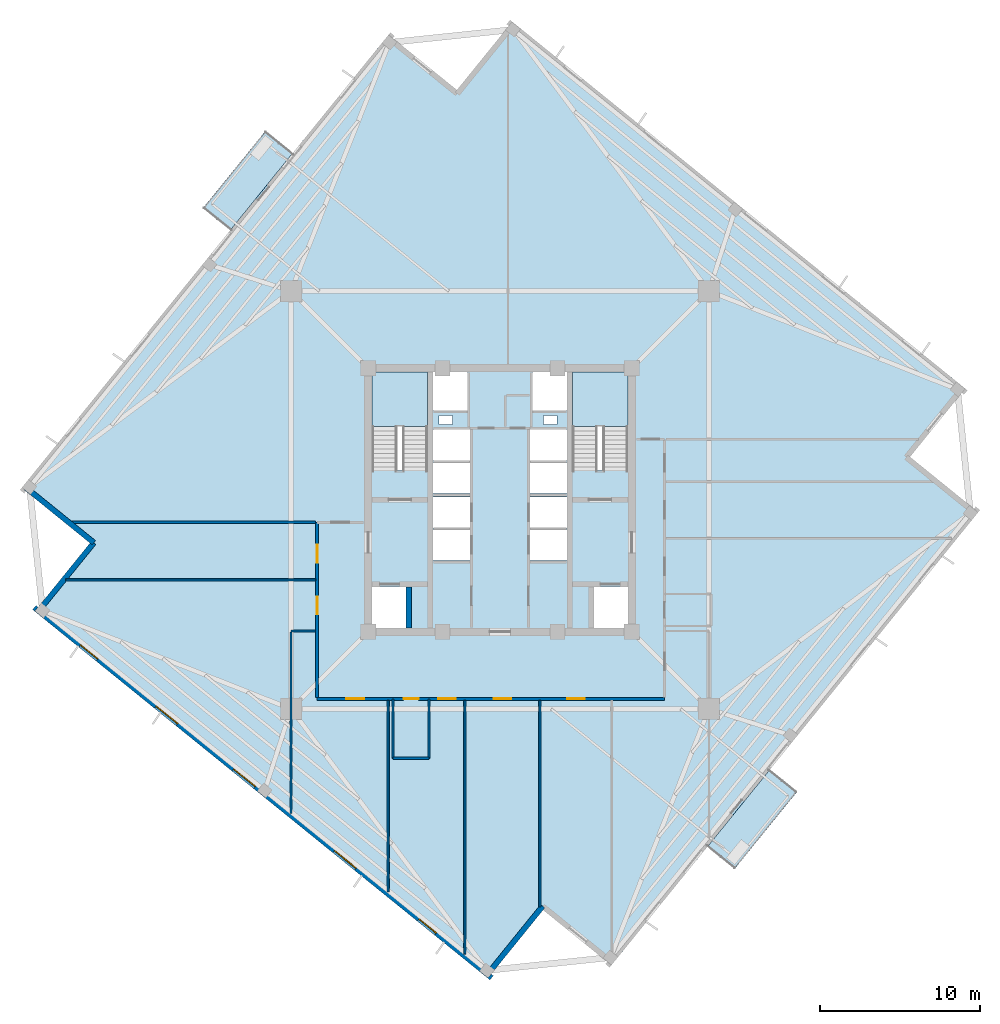
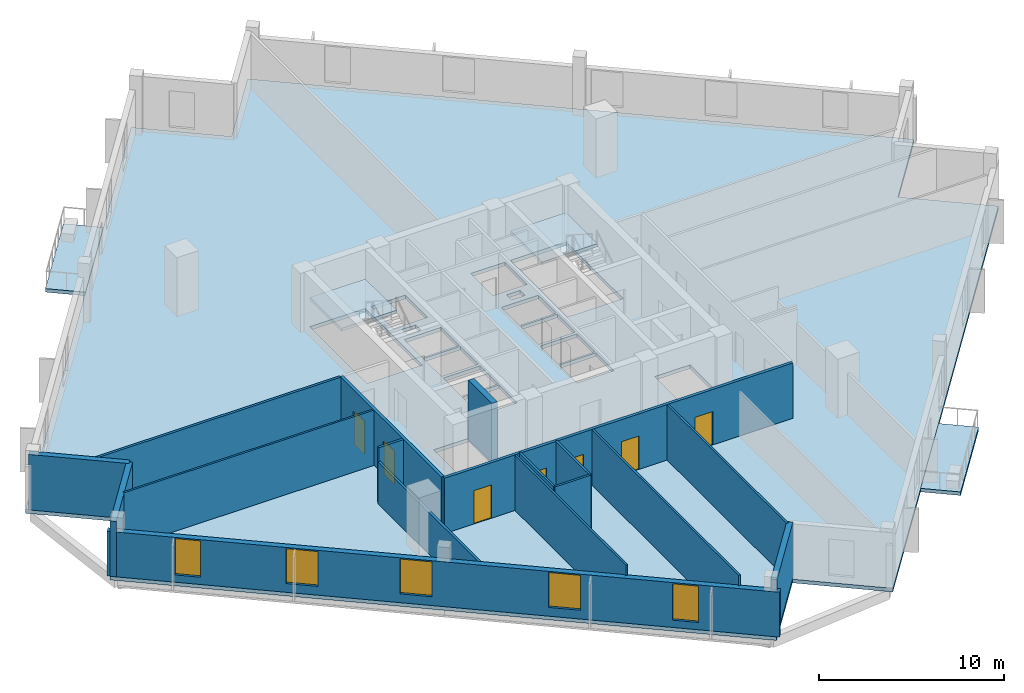
# One storey, part 2 of 9: 17 walls, 7 doors, 5 slabs, 5 windows, 12 openings, 2 elements without a shape of their own.
"""IFC4 building model written with IfcOpenShell, lengths in metres."""

from ifc_helpers import new_model, si_unit, direction, frame, frame_2d, origin, place, context, subcontext, project, spatial, polyline, rectangle, outline, extrude, source, transform, mapped, material, layer, layer_set, type_object, element, fill, aggregate, save


model = new_model("IFC4")

# Units and contexts
model_context = context("Model", 3, precision=1e-05, world=origin(), true_north=direction((0.0, 1.0)))
body_context = subcontext(model_context, "Body", "Model", "MODEL_VIEW")
ifc_project = project(units=[si_unit("LENGTHUNIT", "METRE"), si_unit("AREAUNIT", "SQUARE_METRE"), si_unit("VOLUMEUNIT", "CUBIC_METRE"), si_unit("PLANEANGLEUNIT", "RADIAN"), si_unit("MASSUNIT", "GRAM", prefix="KILO"), si_unit("THERMODYNAMICTEMPERATUREUNIT", "KELVIN")], contexts=[model_context])

# Site, building, storey
site_placement = place(None, origin())
site = spatial("IfcSite", under=ifc_project, at=site_placement, CompositionType="ELEMENT")
building_placement = place(site_placement, origin())
building = spatial("IfcBuilding", under=site, at=building_placement, Name="Kosmvard Interchange Tower", CompositionType="ELEMENT")
storey_placement = place(building_placement, frame((0.0, 0.0, 213.39990234375)))
storey = spatial("IfcBuildingStorey", under=building, at=storey_placement, Name="L51", CompositionType="ELEMENT", Elevation=213.39990234375)

# Slab
ifc_material_1 = material(Name="Concrete C50/60", Category="concrete")
ifc_layer_1 = layer(ifc_material_1, 0.239990234375, Name="Concrete C50/60")
ifc_layer_set_1 = layer_set([ifc_layer_1], Name="Concrete C50/60")
slab_type_1 = type_object("IfcSlabType", Name="High-Rise Suite Composite Slab 240 C50/60", PredefinedType="FLOOR", material=ifc_layer_set_1)
slab_1_placement = place(storey_placement, frame((0.0, 0.0, -0.239990234375)))
element("IfcSlab", 1, at=slab_1_placement, inside=storey, type_object=slab_type_1, Name="L51 Structural Floor Slab", PredefinedType="FLOOR", context=body_context, shape_type="SweptSolid", body=[
    extrude(outline(polyline([(6.97216796875, -29.12939453125), (29.9423828125, -0.763427734375), (25.66796875, 2.69775390625), (29.12939453125, 6.97216796875), (0.763427734375, 29.9423828125), (-2.69775390625, 25.66796875), (-6.97216796875, 29.12939453125), (-29.9423828125, 0.763427734375), (-25.66796875, -2.69775390625), (-29.12939453125, -6.97216796875), (-0.763427734375, -29.9423828125), (2.69775390625, -25.66796875), (6.97216796875, -29.12939453125)]), holes=[polyline([(-8.0, 1.8349609375), (-4.5400390625, 1.8349609375), (-4.5400390625, 8.0), (-8.0, 8.0), (-8.0, 1.8349609375)]), polyline([(4.5400390625, 1.8349609375), (8.0, 1.8349609375), (8.0, 8.0), (4.5400390625, 8.0), (4.5400390625, 1.8349609375)]), polyline([(-8.0, -8.0), (-5.800048828125, -8.0), (-5.800048828125, -5.39990234375), (-8.0, -5.39990234375), (-8.0, -8.0)]), polyline([(5.800048828125, -8.0), (8.0, -8.0), (8.0, -5.39990234375), (5.800048828125, -5.39990234375), (5.800048828125, -8.0)]), polyline([(-4.179931640625, -3.800048828125), (-1.8798828125, -3.800048828125), (-1.8798828125, -1.860107421875), (-4.179931640625, -1.860107421875), (-4.179931640625, -3.800048828125)]), polyline([(-4.179931640625, -1.739990234375), (-1.8798828125, -1.739990234375), (-1.8798828125, 0.199951171875), (-4.179931640625, 0.199951171875), (-4.179931640625, -1.739990234375)]), polyline([(1.8798828125, -3.800048828125), (4.179931640625, -3.800048828125), (4.179931640625, -1.860107421875), (1.8798828125, -1.860107421875), (1.8798828125, -3.800048828125)]), polyline([(1.8798828125, -1.739990234375), (4.179931640625, -1.739990234375), (4.179931640625, 0.199951171875), (1.8798828125, 0.199951171875), (1.8798828125, -1.739990234375)]), polyline([(-4.179931640625, 0.39990234375), (-1.8798828125, 0.39990234375), (-1.8798828125, 2.340087890625), (-4.179931640625, 2.340087890625), (-4.179931640625, 0.39990234375)]), polyline([(-4.179931640625, 2.4599609375), (-1.8798828125, 2.4599609375), (-1.8798828125, 4.39990234375), (-4.179931640625, 4.39990234375), (-4.179931640625, 2.4599609375)]), polyline([(1.8798828125, 0.39990234375), (4.179931640625, 0.39990234375), (4.179931640625, 2.340087890625), (1.8798828125, 2.340087890625), (1.8798828125, 0.39990234375)]), polyline([(1.8798828125, 2.4599609375), (4.179931640625, 2.4599609375), (4.179931640625, 4.39990234375), (1.8798828125, 4.39990234375), (1.8798828125, 2.4599609375)]), polyline([(-4.179931640625, 5.60009765625), (-2.0400390625, 5.60009765625), (-2.0400390625, 8.0), (-4.179931640625, 8.0), (-4.179931640625, 5.60009765625)]), polyline([(2.0400390625, 5.60009765625), (4.179931640625, 5.60009765625), (4.179931640625, 8.0), (2.0400390625, 8.0), (2.0400390625, 5.60009765625)]), polyline([(-3.81494140625, 4.739990234375), (-2.965087890625, 4.739990234375), (-2.965087890625, 5.2900390625), (-3.81494140625, 5.2900390625), (-3.81494140625, 4.739990234375)]), polyline([(2.715087890625, 4.739990234375), (3.56494140625, 4.739990234375), (3.56494140625, 5.2900390625), (2.715087890625, 5.2900390625), (2.715087890625, 4.739990234375)])]), origin(), (0.0, 0.0, 1.0), 0.239990234375),
])

# Stair, slab
stair_type = type_object("IfcStairType", Name="Dog-Leg Core Exit Stair H3900 C50/60", PredefinedType="HALF_TURN_STAIR", material=ifc_material_1)
stair_1_placement = place(storey_placement, origin())
stair_1 = element("IfcStair", 2, at=stair_1_placement, inside=storey, type_object=stair_type, Name="L51 Protected Exit Stair ST-1", PredefinedType="HALF_TURN_STAIR")
ifc_layer_2 = layer(ifc_material_1, 0.199951171875, Name="Concrete C50/60")
ifc_layer_set_2 = layer_set([ifc_layer_2], Name="Concrete C50/60")
slab_type_2 = type_object("IfcSlabType", Name="Stair Half-Landing Slab 200 C50/60", PredefinedType="LANDING", material=ifc_layer_set_2)
slab_2_placement = place(storey_placement, frame((0.0, 0.0, 1.75)))
slab_2 = element("IfcSlab", 3, at=slab_2_placement, type_object=slab_type_2, Name="ST-1 landing 1", PredefinedType="LANDING", context=body_context, shape_type="SweptSolid", body=[
    extrude(outline(polyline([(-4.5400390625, 4.60009765625), (-4.5400390625, 8.0), (-8.0, 8.0), (-8.0, 4.60009765625), (-4.5400390625, 4.60009765625)])), origin(), (0.0, 0.0, 1.0), 0.2001953125),
])
aggregate(stair_1, [slab_2])

stair_2_placement = place(storey_placement, origin())
stair_2 = element("IfcStair", 4, at=stair_2_placement, inside=storey, type_object=stair_type, Name="L51 Protected Exit Stair ST-2", PredefinedType="HALF_TURN_STAIR")
slab_3_placement = place(storey_placement, frame((0.0, 0.0, 1.75)))
slab_3 = element("IfcSlab", 5, at=slab_3_placement, type_object=slab_type_2, Name="ST-2 landing 1", PredefinedType="LANDING", context=body_context, shape_type="SweptSolid", body=[
    extrude(outline(polyline([(8.0, 4.60009765625), (8.0, 8.0), (4.5400390625, 8.0), (4.5400390625, 4.60009765625), (8.0, 4.60009765625)])), origin(), (0.0, 0.0, 1.0), 0.2001953125),
])
aggregate(stair_2, [slab_3])

# Slabs
ifc_layer_3 = layer(ifc_material_1, 0.22998046875, Name="Concrete C50/60")
ifc_layer_set_3 = layer_set([ifc_layer_3], Name="Concrete C50/60")
slab_type_3 = type_object("IfcSlabType", Name="Tree-Planter Cantilever Balcony Slab 230 C50/60", PredefinedType="FLOOR", material=ifc_layer_set_3)
slab_4_placement = place(storey_placement, frame((0.0, 0.0, -0.22998046875)))
element("IfcSlab", 6, at=slab_4_placement, inside=storey, type_object=slab_type_3, Name="L51 Outdoor Terrace Balcony Slab BAL-L51-N", PredefinedType="FLOOR", context=body_context, shape_type="SweptSolid", body=[
    extrude(outline(polyline([(-16.884033203125, 16.88916015625), (-12.982177734375, 21.70751953125), (-14.69189453125, 23.092041015625), (-18.59375, 18.273681640625), (-16.884033203125, 16.88916015625)])), origin(), (0.0, 0.0, 1.0), 0.22998046875),
])
slab_5_placement = place(storey_placement, frame((0.0, 0.0, -0.22998046875)))
element("IfcSlab", 7, at=slab_5_placement, inside=storey, type_object=slab_type_3, Name="L51 Outdoor Terrace Balcony Slab BAL-L51-S", PredefinedType="FLOOR", context=body_context, shape_type="SweptSolid", body=[
    extrude(outline(polyline([(14.69189453125, -23.092041015625), (18.59375, -18.273681640625), (16.884033203125, -16.88916015625), (12.982177734375, -21.70751953125), (14.69189453125, -23.092041015625)])), origin(), (0.0, 0.0, 1.0), 0.22998046875),
])

# Walls
ifc_material_2 = material(Name="Acoustic gypsum partition system")
ifc_layer_4 = layer(ifc_material_2, 0.14990234375, Name="Acoustic gypsum partition system")
ifc_layer_set_4 = layer_set([ifc_layer_4], Name="Acoustic gypsum partition system")
wall_type_1 = type_object("IfcWallType", Name="Acoustic Suite & Meeting Partition 150", PredefinedType="PARTITIONING", material=ifc_layer_set_4)
wall_1_placement = place(storey_placement, frame((-26.833740234375, -1.39990234375, 0.0), z_axis=(0.0, 0.0, 1.0), x_axis=(1.0, 0.0, 0.0)))
element("IfcWall", 8, at=wall_1_placement, inside=storey, type_object=wall_type_1, Name="L51 Room Partition 02.1", PredefinedType="PARTITIONING", context=body_context, shape_type="SweptSolid", body=[
    extrude(rectangle(XDim=15.288818359375, YDim=0.14990234375, at=frame_2d((7.64453125, 0.0))), origin(), (0.0, 0.0, 1.0), 3.66015625),
])
wall_2_placement = place(storey_placement, frame((-11.544921875, -8.199951171875, 0.0), z_axis=(0.0, 0.0, 1.0), x_axis=(-1.0, 0.0, 0.0)))
element("IfcWall", 9, at=wall_2_placement, inside=storey, type_object=wall_type_1, Name="L51 Room Partition 05.1", PredefinedType="PARTITIONING", context=body_context, shape_type="SweptSolid", body=[
    extrude(rectangle(XDim=1.5361328125, YDim=0.14990234375, at=frame_2d((0.76806640625, 0.0))), origin(), (0.0, 0.0, 1.0), 3.66015625),
])
wall_3_placement = place(storey_placement, frame((-13.0810546875, -8.27490234375, 0.0), z_axis=(0.0, 0.0, 1.0), x_axis=(0.0, -1.0, 0.0)))
element("IfcWall", 10, at=wall_3_placement, inside=storey, type_object=wall_type_1, Name="L51 Room Partition 06.1", PredefinedType="PARTITIONING", context=body_context, shape_type="SweptSolid", body=[
    extrude(rectangle(XDim=11.339111328125, YDim=0.14990234375, at=frame_2d((5.66943359375, 0.0))), origin(), (0.0, 0.0, 1.0), 2.760009765625),
])

# Wall, openings, doors
ifc_material_3 = material(Name="Fire-rated gypsum partition system")
ifc_layer_5 = layer(ifc_material_3, 0.179931640625, Name="Fire-rated gypsum partition system")
ifc_layer_set_5 = layer_set([ifc_layer_5], Name="Fire-rated gypsum partition system")
wall_type_2 = type_object("IfcWallType", Name="Corridor & Hotel Compartment Partition 180", PredefinedType="PARTITIONING", material=ifc_layer_set_5)
wall_4_placement = place(storey_placement, frame((-11.449951171875, -12.449951171875, 0.0), z_axis=(0.0, 0.0, 1.0), x_axis=(1.0, 0.0, 0.0)))
wall_4 = element("IfcWall", 11, at=wall_4_placement, inside=storey, type_object=wall_type_2, Name="L51 Corridor Wall CS", PredefinedType="PARTITIONING", context=body_context, shape_type="SweptSolid", body=[
    extrude(rectangle(XDim=21.75, YDim=0.179931640625, at=frame_2d((10.875, 0.0))), origin(), (0.0, 0.0, 1.0), 3.66015625),
])
opening_1_placement = place(wall_4_placement, frame((5.4111328125, 0.0, 0.0)))
opening_1 = element("IfcOpeningElement", 12, at=opening_1_placement, cuts=wall_4, Name="Opening L51-D02", PredefinedType="OPENING", context=body_context, shape_type="SweptSolid", body=[
    extrude(rectangle(XDim=0.949951171875, YDim=2.10009765625, at=frame_2d((0.47509765625, 1.050048828125))), frame((0.0, 0.10009765625, 0.0), z_axis=(0.0, -1.0, 0.0), x_axis=(1.0, 0.0, 0.0)), (0.0, 0.0, 1.0), 0.199951171875),
])
opening_2_placement = place(wall_4_placement, frame((1.83935546875, 0.0, 0.0)))
opening_2 = element("IfcOpeningElement", 13, at=opening_2_placement, cuts=wall_4, Name="Opening L51-D08", PredefinedType="OPENING", context=body_context, shape_type="SweptSolid", body=[
    extrude(rectangle(XDim=1.10009765625, YDim=2.199951171875, at=frame_2d((0.550048828125, 1.10009765625))), frame((0.0, 0.10009765625, 0.0), z_axis=(0.0, -1.0, 0.0), x_axis=(1.0, 0.0, 0.0)), (0.0, 0.0, 1.0), 0.199951171875),
])
opening_3_placement = place(wall_4_placement, frame((7.574462890625, 0.0, 0.0)))
opening_3 = element("IfcOpeningElement", 14, at=opening_3_placement, cuts=wall_4, Name="Opening L51-D09", PredefinedType="OPENING", context=body_context, shape_type="SweptSolid", body=[
    extrude(rectangle(XDim=1.10009765625, YDim=2.199951171875, at=frame_2d((0.550048828125, 1.10009765625))), frame((0.0, 0.10009765625, 0.0), z_axis=(0.0, -1.0, 0.0), x_axis=(1.0, 0.0, 0.0)), (0.0, 0.0, 1.0), 0.199951171875),
])
opening_4_placement = place(wall_4_placement, frame((11.050048828125, 0.0, 0.0)))
opening_4 = element("IfcOpeningElement", 15, at=opening_4_placement, cuts=wall_4, Name="Opening L51-D10", PredefinedType="OPENING", context=body_context, shape_type="SweptSolid", body=[
    extrude(rectangle(XDim=1.10009765625, YDim=2.199951171875, at=frame_2d((0.550048828125, 1.10009765625))), frame((0.0, 0.10009765625, 0.0), z_axis=(0.0, -1.0, 0.0), x_axis=(1.0, 0.0, 0.0)), (0.0, 0.0, 1.0), 0.199951171875),
])
opening_5_placement = place(wall_4_placement, frame((15.64990234375, 0.0, 0.0)))
opening_5 = element("IfcOpeningElement", 16, at=opening_5_placement, cuts=wall_4, Name="Opening L51-D11", PredefinedType="OPENING", context=body_context, shape_type="SweptSolid", body=[
    extrude(rectangle(XDim=1.10009765625, YDim=2.199951171875, at=frame_2d((0.550048828125, 1.10009765625))), frame((0.0, 0.10009765625, 0.0), z_axis=(0.0, -1.0, 0.0), x_axis=(1.0, 0.0, 0.0)), (0.0, 0.0, 1.0), 0.199951171875),
])
ifc_material_4 = material(Name="Laminated moisture-resistant timber", Category="wood")
door_type_1 = type_object("IfcDoorType", Name="Accessible Washroom Door 950x2100", OperationType="NOTDEFINED", PredefinedType="DOOR", material=ifc_material_4)
shared_shape_1 = source(origin(), body_context, "Body", "SweptSolid", [
    extrude(rectangle(XDim=0.949951171875, YDim=2.10009765625, at=frame_2d((0.47509765625, 1.050048828125))), frame((0.0, 0.02490234375, 0.0), z_axis=(0.0, -1.0, 0.0), x_axis=(1.0, 0.0, 0.0)), (0.0, 0.0, 1.0), 0.050048828125),
])
door_1_placement = place(opening_1_placement, frame((0.949951171875, 0.0, 0.0), z_axis=(0.0, 0.0, 1.0), x_axis=(-1.0, 0.0, 0.0)))
door_1 = element("IfcDoor", 17, at=door_1_placement, inside=storey, type_object=door_type_1, Name="L51 Public Floor Washroom Door", OperationType="SINGLE_SWING_RIGHT", OverallHeight=2.10009765625, OverallWidth=0.949951171875, PredefinedType="DOOR", context=body_context, shape_type="MappedRepresentation", body=[
    mapped(shared_shape_1, transform((0.0, 0.0, 0.0), scale=1.0)),
])
fill(opening_1, door_1)
ifc_material_5 = material(Name="Engineered oak fire-rated timber", Category="wood")
door_type_2 = type_object("IfcDoorType", Name="Office Suite Entrance Door 1100x2200 FD30S", OperationType="NOTDEFINED", PredefinedType="DOOR", material=ifc_material_5)
shared_shape_2 = source(origin(), body_context, "Body", "SweptSolid", [
    extrude(rectangle(XDim=1.10009765625, YDim=2.199951171875, at=frame_2d((0.550048828125, 1.10009765625))), frame((0.0, 0.02490234375, 0.0), z_axis=(0.0, -1.0, 0.0), x_axis=(1.0, 0.0, 0.0)), (0.0, 0.0, 1.0), 0.050048828125),
])
door_2_placement = place(opening_2_placement, frame((1.10009765625, 0.0, 0.0), z_axis=(0.0, 0.0, 1.0), x_axis=(-1.0, 0.0, 0.0)))
door_2 = element("IfcDoor", 18, at=door_2_placement, inside=storey, type_object=door_type_2, Name="L51 Treaty Conference Room 3 Door", OperationType="SINGLE_SWING_RIGHT", OverallHeight=2.199951171875, OverallWidth=1.10009765625, PredefinedType="DOOR", context=body_context, shape_type="MappedRepresentation", body=[
    mapped(shared_shape_2, transform((0.0, 0.0, 0.0), scale=1.0)),
])
fill(opening_2, door_2)
door_3_placement = place(opening_3_placement, frame((1.10009765625, 0.0, 0.0), z_axis=(0.0, 0.0, 1.0), x_axis=(-1.0, 0.0, 0.0)))
door_3 = element("IfcDoor", 19, at=door_3_placement, inside=storey, type_object=door_type_2, Name="L51 Diplomatic Seminar Room 4 Door", OperationType="SINGLE_SWING_LEFT", OverallHeight=2.199951171875, OverallWidth=1.10009765625, PredefinedType="DOOR", context=body_context, shape_type="MappedRepresentation", body=[
    mapped(shared_shape_2, transform((0.0, 0.0, 0.0), scale=1.0)),
])
fill(opening_3, door_3)
door_4_placement = place(opening_4_placement, frame((1.10009765625, 0.0, 0.0), z_axis=(0.0, 0.0, 1.0), x_axis=(-1.0, 0.0, 0.0)))
door_4 = element("IfcDoor", 20, at=door_4_placement, inside=storey, type_object=door_type_2, Name="L51 Ambassador Reading Study 1 Door", OperationType="SINGLE_SWING_RIGHT", OverallHeight=2.199951171875, OverallWidth=1.10009765625, PredefinedType="DOOR", context=body_context, shape_type="MappedRepresentation", body=[
    mapped(shared_shape_2, transform((0.0, 0.0, 0.0), scale=1.0)),
])
fill(opening_4, door_4)
door_5_placement = place(opening_5_placement, frame((1.10009765625, 0.0, 0.0), z_axis=(0.0, 0.0, 1.0), x_axis=(-1.0, 0.0, 0.0)))
door_5 = element("IfcDoor", 21, at=door_5_placement, inside=storey, type_object=door_type_2, Name="L51 Counsel Quiet Study 2 Door", OperationType="SINGLE_SWING_LEFT", OverallHeight=2.199951171875, OverallWidth=1.10009765625, PredefinedType="DOOR", context=body_context, shape_type="MappedRepresentation", body=[
    mapped(shared_shape_2, transform((0.0, 0.0, 0.0), scale=1.0)),
])
fill(opening_5, door_5)

wall_5_placement = place(storey_placement, frame((-11.449951171875, -12.35009765625, 0.0), z_axis=(0.0, 0.0, 1.0), x_axis=(0.0, 1.0, 0.0)))
wall_5 = element("IfcWall", 22, at=wall_5_placement, inside=storey, type_object=wall_type_2, Name="L51 Corridor Wall CW", PredefinedType="PARTITIONING", context=body_context, shape_type="SweptSolid", body=[
    extrude(rectangle(XDim=10.9501953125, YDim=0.179931640625, at=frame_2d((5.47509765625, 0.0))), origin(), (0.0, 0.0, 1.0), 3.66015625),
])
opening_6_placement = place(wall_5_placement, frame((8.435546875, 0.0, 0.0)))
opening_6 = element("IfcOpeningElement", 23, at=opening_6_placement, cuts=wall_5, Name="Opening L51-D06", PredefinedType="OPENING", context=body_context, shape_type="SweptSolid", body=[
    extrude(rectangle(XDim=1.10009765625, YDim=2.199951171875, at=frame_2d((0.550048828125, 1.10009765625))), frame((0.0, 0.10009765625, 0.0), z_axis=(0.0, -1.0, 0.0), x_axis=(1.0, 0.0, 0.0)), (0.0, 0.0, 1.0), 0.199951171875),
])
opening_7_placement = place(wall_5_placement, frame((5.199951171875, 0.0, 0.0)))
opening_7 = element("IfcOpeningElement", 24, at=opening_7_placement, cuts=wall_5, Name="Opening L51-D07", PredefinedType="OPENING", context=body_context, shape_type="SweptSolid", body=[
    extrude(rectangle(XDim=1.10009765625, YDim=2.199951171875, at=frame_2d((0.550048828125, 1.10009765625))), frame((0.0, 0.10009765625, 0.0), z_axis=(0.0, -1.0, 0.0), x_axis=(1.0, 0.0, 0.0)), (0.0, 0.0, 1.0), 0.199951171875),
])
door_6_placement = place(opening_6_placement, origin())
door_6 = element("IfcDoor", 25, at=door_6_placement, inside=storey, type_object=door_type_2, Name="L51 Executive Servery Pantry Door", OperationType="SINGLE_SWING_RIGHT", OverallHeight=2.199951171875, OverallWidth=1.10009765625, PredefinedType="DOOR", context=body_context, shape_type="MappedRepresentation", body=[
    mapped(shared_shape_2, transform((0.0, 0.0, 0.0), scale=1.0)),
])
fill(opening_6, door_6)
door_7_placement = place(opening_7_placement, origin())
door_7 = element("IfcDoor", 26, at=door_7_placement, inside=storey, type_object=door_type_2, Name="L51 Chancery Boardroom 2 Door", OperationType="SINGLE_SWING_LEFT", OverallHeight=2.199951171875, OverallWidth=1.10009765625, PredefinedType="DOOR", context=body_context, shape_type="MappedRepresentation", body=[
    mapped(shared_shape_2, transform((0.0, 0.0, 0.0), scale=1.0)),
])
fill(opening_7, door_7)

# Walls
ifc_material_6 = material(Name="Precast concrete C45/55", Category="concrete")
ifc_layer_6 = layer(ifc_material_6, 0.340087890625, Name="Precast concrete C45/55")
ifc_layer_set_6 = layer_set([ifc_layer_6], Name="Precast concrete C45/55")
wall_type_3 = type_object("IfcWallType", Name="Mid Tower Precast Pier Wall 340 C45/55", PredefinedType="STANDARD", material=ifc_layer_set_6)
wall_6_placement = place(storey_placement, frame((-29.703125, 0.78857421875, 0.0), z_axis=(0.0, 0.0, 1.0), x_axis=(0.77714355312, -0.629323365087, 0.0)))
element("IfcWall", 27, at=wall_6_placement, inside=storey, type_object=wall_type_3, Name="L51 Precast Facade Wall N-NW1", PredefinedType="STANDARD", context=body_context, shape_type="SweptSolid", body=[
    extrude(rectangle(XDim=5.499755859375, YDim=0.340087890625, at=frame_2d((2.75, 0.0))), origin(), (0.0, 0.0, 1.0), 3.66015625),
])
wall_7_placement = place(storey_placement, frame((-25.428955078125, -2.672607421875, 0.0), z_axis=(0.0, 0.0, 1.0), x_axis=(-0.629299794138, -0.777162640055, 0.0)))
element("IfcWall", 28, at=wall_7_placement, inside=storey, type_object=wall_type_3, Name="L51 Precast Facade Wall N-NW2", PredefinedType="STANDARD", context=body_context, shape_type="SweptSolid", body=[
    extrude(rectangle(XDim=5.669921875, YDim=0.340087890625, at=frame_2d((2.8349609375, 0.0))), origin(), (0.0, 0.0, 1.0), 3.66015625),
])

# Wall, openings, windows
wall_8_placement = place(storey_placement, frame((-29.154296875, -6.73291015625, 0.0), z_axis=(0.0, 0.0, 1.0), x_axis=(0.77714192302, -0.629325378072, 0.0)))
wall_8 = element("IfcWall", 29, at=wall_8_placement, inside=storey, type_object=wall_type_3, Name="L51 Precast Facade Wall F-W", PredefinedType="STANDARD", context=body_context, shape_type="SweptSolid", body=[
    extrude(rectangle(XDim=36.840087890625, YDim=0.340087890625, at=frame_2d((18.419921875, 0.0))), origin(), (0.0, 0.0, 1.0), 2.960205078125),
])
opening_8_placement = place(wall_8_placement, frame((3.720703125, 0.0, 0.47998046875)))
opening_8 = element("IfcOpeningElement", 30, at=opening_8_placement, cuts=wall_8, Name="Opening L51-W16", PredefinedType="OPENING", context=body_context, shape_type="SweptSolid", body=[
    extrude(rectangle(XDim=1.39990234375, YDim=2.39990234375, at=frame_2d((0.699951171875, 1.199951171875))), frame((0.0, 0.18017578125, 0.0), z_axis=(0.0, -1.0, 0.0), x_axis=(1.0, 0.0, 0.0)), (0.0, 0.0, 1.0), 0.360107421875),
])
opening_9_placement = place(wall_8_placement, frame((9.80859375, 0.0, 0.580078125)))
opening_9 = element("IfcOpeningElement", 31, at=opening_9_placement, cuts=wall_8, Name="Opening L51-W17", PredefinedType="OPENING", context=body_context, shape_type="SweptSolid", body=[
    extrude(rectangle(XDim=1.75, YDim=2.300048828125, at=frame_2d((0.875, 1.14990234375))), frame((0.0, 0.18017578125, 0.0), z_axis=(0.0, -1.0, 0.0), x_axis=(1.0, 0.0, 0.0)), (0.0, 0.0, 1.0), 0.360107421875),
])
opening_10_placement = place(wall_8_placement, frame((16.05810546875, 0.0, 0.580078125)))
opening_10 = element("IfcOpeningElement", 32, at=opening_10_placement, cuts=wall_8, Name="Opening L51-W18", PredefinedType="OPENING", context=body_context, shape_type="SweptSolid", body=[
    extrude(rectangle(XDim=1.75, YDim=2.300048828125, at=frame_2d((0.875, 1.14990234375))), frame((0.0, 0.18017578125, 0.0), z_axis=(0.0, -1.0, 0.0), x_axis=(1.0, 0.0, 0.0)), (0.0, 0.0, 1.0), 0.360107421875),
])
opening_11_placement = place(wall_8_placement, frame((24.17626953125, 0.0, 0.580078125)))
opening_11 = element("IfcOpeningElement", 33, at=opening_11_placement, cuts=wall_8, Name="Opening L51-W19", PredefinedType="OPENING", context=body_context, shape_type="SweptSolid", body=[
    extrude(rectangle(XDim=1.75, YDim=2.300048828125, at=frame_2d((0.875, 1.14990234375))), frame((0.0, 0.18017578125, 0.0), z_axis=(0.0, -1.0, 0.0), x_axis=(1.0, 0.0, 0.0)), (0.0, 0.0, 1.0), 0.360107421875),
])
opening_12_placement = place(wall_8_placement, frame((30.982421875, 0.0, 0.47998046875)))
opening_12 = element("IfcOpeningElement", 34, at=opening_12_placement, cuts=wall_8, Name="Opening L51-W20", PredefinedType="OPENING", context=body_context, shape_type="SweptSolid", body=[
    extrude(rectangle(XDim=1.39990234375, YDim=2.39990234375, at=frame_2d((0.699951171875, 1.199951171875))), frame((0.0, 0.18017578125, 0.0), z_axis=(0.0, -1.0, 0.0), x_axis=(1.0, 0.0, 0.0)), (0.0, 0.0, 1.0), 0.360107421875),
])
ifc_material_7 = material(Name="Low-E solar-control double glazing", Category="glass")
window_type_1 = type_object("IfcWindowType", Name="Notched Corner Feature Window 1400x2400", PartitioningType="SINGLE_PANEL", PredefinedType="WINDOW", material=ifc_material_7)
shared_shape_3 = source(origin(), body_context, "Body", "SweptSolid", [
    extrude(rectangle(XDim=1.39990234375, YDim=2.39990234375, at=frame_2d((0.699951171875, 1.199951171875))), frame((0.0, 0.030029296875, 0.0), z_axis=(0.0, -1.0, 0.0), x_axis=(1.0, 0.0, 0.0)), (0.0, 0.0, 1.0), 0.06005859375),
])
window_1_placement = place(opening_8_placement, origin())
window_1 = element("IfcWindow", 35, at=window_1_placement, inside=storey, type_object=window_type_1, Name="L51 Facade Punched Window 16", OverallHeight=2.39990234375, OverallWidth=1.39990234375, PartitioningType="SINGLE_PANEL", PredefinedType="WINDOW", context=body_context, shape_type="MappedRepresentation", body=[
    mapped(shared_shape_3, transform((0.0, 0.0, 0.0), scale=1.0)),
])
fill(opening_8, window_1)
window_2_placement = place(opening_12_placement, origin())
window_2 = element("IfcWindow", 36, at=window_2_placement, inside=storey, type_object=window_type_1, Name="L51 Facade Punched Window 20", OverallHeight=2.39990234375, OverallWidth=1.39990234375, PartitioningType="SINGLE_PANEL", PredefinedType="WINDOW", context=body_context, shape_type="MappedRepresentation", body=[
    mapped(shared_shape_3, transform((0.0, 0.0, 0.0), scale=1.0)),
])
fill(opening_12, window_2)
window_type_2 = type_object("IfcWindowType", Name="Zone 4 Suite Punched Window 1750x2300", PartitioningType="SINGLE_PANEL", PredefinedType="WINDOW", material=ifc_material_7)
shared_shape_4 = source(origin(), body_context, "Body", "SweptSolid", [
    extrude(rectangle(XDim=1.75, YDim=2.300048828125, at=frame_2d((0.875, 1.14990234375))), frame((0.0, 0.030029296875, 0.0), z_axis=(0.0, -1.0, 0.0), x_axis=(1.0, 0.0, 0.0)), (0.0, 0.0, 1.0), 0.06005859375),
])
window_3_placement = place(opening_9_placement, origin())
window_3 = element("IfcWindow", 37, at=window_3_placement, inside=storey, type_object=window_type_2, Name="L51 Facade Punched Window 17", OverallHeight=2.300048828125, OverallWidth=1.75, PartitioningType="SINGLE_PANEL", PredefinedType="WINDOW", context=body_context, shape_type="MappedRepresentation", body=[
    mapped(shared_shape_4, transform((0.0, 0.0, 0.0), scale=1.0)),
])
fill(opening_9, window_3)
window_4_placement = place(opening_10_placement, origin())
window_4 = element("IfcWindow", 38, at=window_4_placement, inside=storey, type_object=window_type_2, Name="L51 Facade Punched Window 18", OverallHeight=2.300048828125, OverallWidth=1.75, PartitioningType="SINGLE_PANEL", PredefinedType="WINDOW", context=body_context, shape_type="MappedRepresentation", body=[
    mapped(shared_shape_4, transform((0.0, 0.0, 0.0), scale=1.0)),
])
fill(opening_10, window_4)
window_5_placement = place(opening_11_placement, origin())
window_5 = element("IfcWindow", 39, at=window_5_placement, inside=storey, type_object=window_type_2, Name="L51 Facade Punched Window 19", OverallHeight=2.300048828125, OverallWidth=1.75, PartitioningType="SINGLE_PANEL", PredefinedType="WINDOW", context=body_context, shape_type="MappedRepresentation", body=[
    mapped(shared_shape_4, transform((0.0, 0.0, 0.0), scale=1.0)),
])
fill(opening_11, window_5)

# Walls
wall_9_placement = place(storey_placement, frame((-0.78857421875, -29.703125, 0.0), z_axis=(0.0, 0.0, 1.0), x_axis=(0.629323365087, 0.77714355312, 0.0)))
element("IfcWall", 40, at=wall_9_placement, inside=storey, type_object=wall_type_3, Name="L51 Precast Facade Wall N-SW1", PredefinedType="STANDARD", context=body_context, shape_type="SweptSolid", body=[
    extrude(rectangle(XDim=5.499755859375, YDim=0.340087890625, at=frame_2d((2.75, 0.0))), origin(), (0.0, 0.0, 1.0), 3.66015625),
])
ifc_material_8 = material(Name="Gypsum board partition system")
ifc_layer_7 = layer(ifc_material_8, 0.1201171875, Name="Gypsum board partition system")
ifc_layer_set_7 = layer_set([ifc_layer_7], Name="Gypsum board partition system")
wall_type_4 = type_object("IfcWallType", Name="Office Cellular Partition 120", PredefinedType="PARTITIONING", material=ifc_layer_set_7)
wall_10_placement = place(storey_placement, frame((-27.178466796875, -5.0, 0.0), z_axis=(0.0, 0.0, 1.0), x_axis=(1.0, 0.0, 0.0)))
element("IfcWall", 41, at=wall_10_placement, inside=storey, type_object=wall_type_4, Name="L51 Room Partition 07.1", PredefinedType="PARTITIONING", context=body_context, shape_type="SweptSolid", body=[
    extrude(rectangle(XDim=15.633544921875, YDim=0.1201171875, at=frame_2d((7.81689453125, 0.0))), origin(), (0.0, 0.0, 1.0), 3.66015625),
])
wall_11_placement = place(storey_placement, frame((-7.0, -24.5380859375, 0.0), z_axis=(0.0, 0.0, 1.0), x_axis=(0.0, 1.0, 0.0)))
element("IfcWall", 42, at=wall_11_placement, inside=storey, type_object=wall_type_4, Name="L51 Room Partition 08.1", PredefinedType="PARTITIONING", context=body_context, shape_type="SweptSolid", body=[
    extrude(rectangle(XDim=11.9931640625, YDim=0.1201171875, at=frame_2d((5.99658203125, 0.0))), origin(), (0.0, 0.0, 1.0), 3.66015625),
])
wall_12_placement = place(storey_placement, frame((-2.199951171875, -28.425048828125, 0.0), z_axis=(0.0, 0.0, 1.0), x_axis=(0.0, 1.0, 0.0)))
element("IfcWall", 43, at=wall_12_placement, inside=storey, type_object=wall_type_4, Name="L51 Room Partition 09.1", PredefinedType="PARTITIONING", context=body_context, shape_type="SweptSolid", body=[
    extrude(rectangle(XDim=15.880126953125, YDim=0.1201171875, at=frame_2d((7.93994140625, 0.0))), origin(), (0.0, 0.0, 1.0), 3.66015625),
])
wall_13_placement = place(storey_placement, frame((2.5, -25.475341796875, 0.0), z_axis=(0.0, 0.0, 1.0), x_axis=(0.0, 1.0, 0.0)))
element("IfcWall", 44, at=wall_13_placement, inside=storey, type_object=wall_type_4, Name="L51 Room Partition 10.1", PredefinedType="PARTITIONING", context=body_context, shape_type="SweptSolid", body=[
    extrude(rectangle(XDim=12.930419921875, YDim=0.1201171875, at=frame_2d((6.46533203125, 0.0))), origin(), (0.0, 0.0, 1.0), 3.66015625),
])
ifc_material_9 = material(Name="Concrete C60/75", Category="concrete")
ifc_layer_8 = layer(ifc_material_9, 0.360107421875, Name="Concrete C60/75")
ifc_layer_set_8 = layer_set([ifc_layer_8], Name="Concrete C60/75")
wall_type_5 = type_object("IfcWallType", Name="Stair & Lift Shaft Shear Wall 360 C60/75", PredefinedType="SHEAR", material=ifc_layer_set_8)
wall_14_placement = place(storey_placement, frame((-5.7099609375, -8.0, 0.0), z_axis=(0.0, 0.0, 1.0), x_axis=(0.0, 1.0, 0.0)))
element("IfcWall", 45, at=wall_14_placement, inside=storey, type_object=wall_type_5, Name="L51 Shaft Shear Wall SW-SM1", PredefinedType="SHEAR", context=body_context, shape_type="SweptSolid", body=[
    extrude(rectangle(XDim=2.5400390625, YDim=0.360107421875, at=frame_2d((1.27001953125, 0.0))), origin(), (0.0, 0.0, 1.0), 3.900146484375),
])
ifc_material_10 = material(Name="Moisture-resistant gypsum partition")
ifc_layer_9 = layer(ifc_material_10, 0.135009765625, Name="Moisture-resistant gypsum partition")
ifc_layer_set_9 = layer_set([ifc_layer_9], Name="Moisture-resistant gypsum partition")
wall_type_6 = type_object("IfcWallType", Name="Wet Room Moisture-Resistant Partition 135", PredefinedType="PARTITIONING", material=ifc_layer_set_9)
wall_15_placement = place(storey_placement, frame((-6.68896484375, -16.169921875, 0.0), z_axis=(0.0, 0.0, 1.0), x_axis=(1.0, 0.0, 0.0)))
element("IfcWall", 46, at=wall_15_placement, inside=storey, type_object=wall_type_6, Name="L51 Washroom Partition WC1-S", PredefinedType="PARTITIONING", context=body_context, shape_type="SweptSolid", body=[
    extrude(rectangle(XDim=2.25, YDim=0.135009765625, at=frame_2d((1.125, 0.0))), origin(), (0.0, 0.0, 1.0), 3.66015625),
])
for number, where, z_axis, x_axis, name in (
    (47, (-4.43896484375, -16.169921875, 0.0), (0.0, 0.0, 1.0), (0.0, 1.0, 0.0), "L51 Washroom Partition WC1-E"),
    (48, (-6.68896484375, -16.169921875, 0.0), (0.0, 0.0, 1.0), (0.0, 1.0, 0.0), "L51 Washroom Partition WC1-W"),
):
    element("IfcWall", number, at=place(storey_placement, frame(where, z_axis=z_axis, x_axis=x_axis)), inside=storey, type_object=wall_type_6, Name=name, PredefinedType="PARTITIONING", context=body_context, shape_type="SweptSolid", body=[
        extrude(rectangle(XDim=3.699951171875, YDim=0.135009765625, at=frame_2d((1.85009765625, 0.0))), origin(), (0.0, 0.0, 1.0), 3.66015625),
    ])

save(model, "model.ifc")
